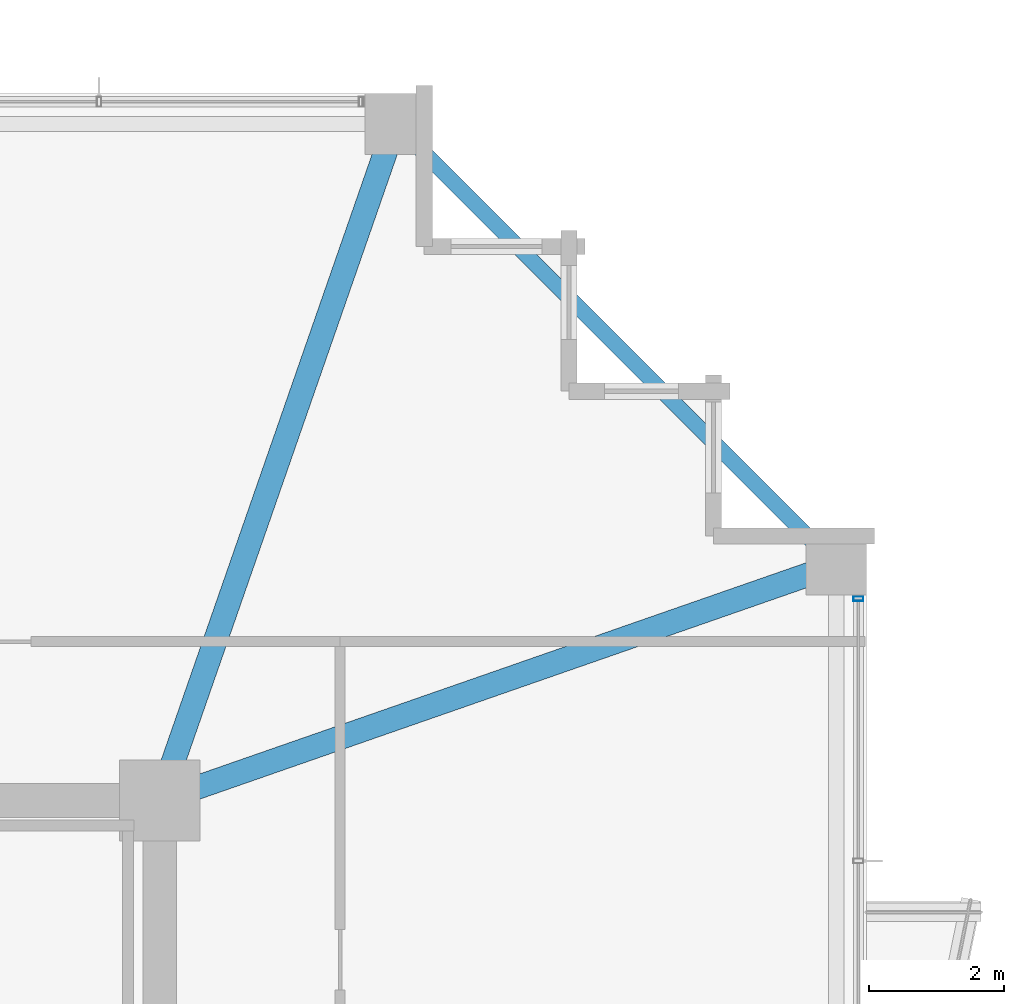
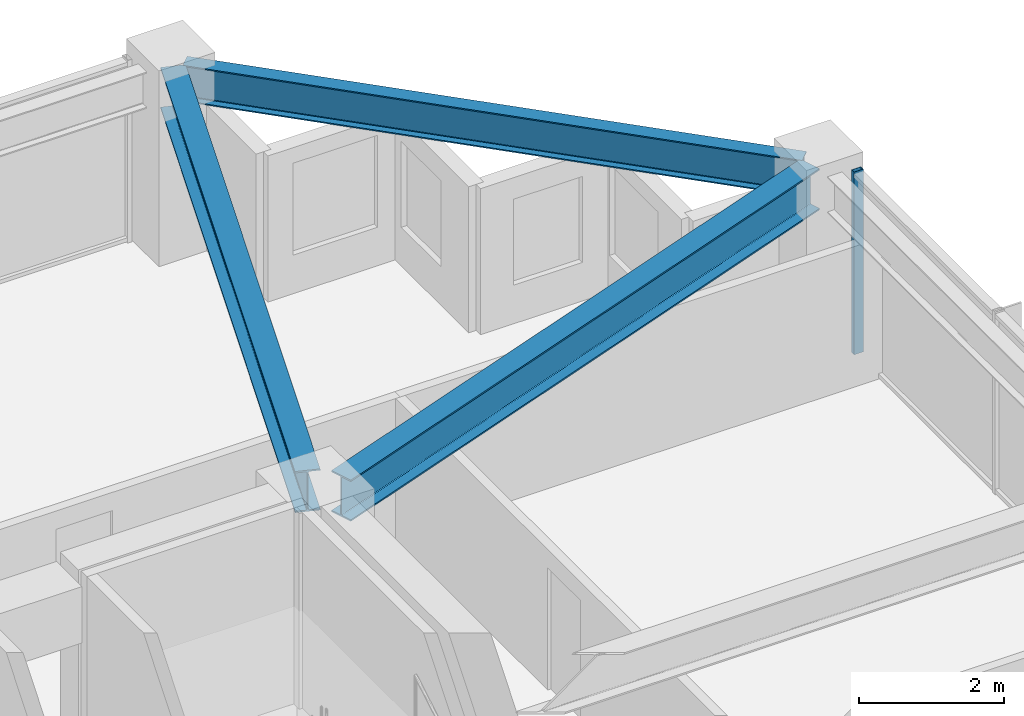
# One storey, part 20 of 35: 3 beams, 1 member, 1 element without a shape of its own.
"""IFC4 building model written with IfcOpenShell, lengths in metres."""

from ifc_helpers import new_model, si_unit, direction, frame, origin, origin_2d, place, context, subcontext, project, spatial, hollow_rectangle, i_section, extrude, material, material_profile, profile_set, type_object, element, aggregate, save


model = new_model("IFC4")

# Units and contexts
model_context = context("Model", 3, precision=1e-05, world=origin(), true_north=direction((0.0, 1.0)))
body_context = subcontext(model_context, "Body", "Model", "MODEL_VIEW")
ifc_project = project(units=[si_unit("LENGTHUNIT", "METRE"), si_unit("AREAUNIT", "SQUARE_METRE"), si_unit("VOLUMEUNIT", "CUBIC_METRE"), si_unit("PLANEANGLEUNIT", "RADIAN"), si_unit("MASSUNIT", "GRAM", prefix="KILO")], contexts=[model_context])

# Site, building, storey
site_placement = place(None, origin())
site = spatial("IfcSite", under=ifc_project, at=site_placement, CompositionType="ELEMENT")
building_placement = place(site_placement, origin())
building = spatial("IfcBuilding", under=site, at=building_placement, Name="Kolvaren Belvedere", CompositionType="ELEMENT")
storey_placement = place(building_placement, frame((0.0, 0.0, 183.300048828125)))
storey = spatial("IfcBuildingStorey", under=building, at=storey_placement, Name="L53", CompositionType="ELEMENT", Elevation=183.300048828125)

# Beams
ifc_material_1 = material(Name="Structural steel ASTM A992 Grade 50", Category="steel")
ifc_material_profile_1 = material_profile(ifc_material_1, i_section(OverallWidth=0.35498046875, OverallDepth=0.696044921875, WebThickness=0.015380859375, FlangeThickness=0.02490234375, FilletRadius=0.02197265625, at=origin_2d()), Name="W27X146")
ifc_profile_set_1 = profile_set([ifc_material_profile_1], Name="Structural steel ASTM A992 Grade 50")
beam_type_1 = type_object("IfcBeamType", Name="BM-GIRD-W27X146", PredefinedType="BEAM", material=ifc_profile_set_1)
for number, where, z_axis, x_axis, name in (
    (1, (10.080810546875, 10.41943359375, 2.73193359375), (0.328894130701, 0.944366798861, 0.0), (-0.944366798861, 0.328894130701, 0.0), "L53 Corner Core-to-Perimeter Girder CC3-N4"),
    (2, (10.41943359375, 10.080810546875, 2.73193359375), (0.944366798861, 0.328894130701, 0.0), (-0.328894130701, 0.944366798861, 0.0), "L53 Corner Core-to-Perimeter Girder CC3-E4"),
):
    element("IfcBeam", number, at=place(storey_placement, frame(where, z_axis=z_axis, x_axis=x_axis)), inside=storey, type_object=beam_type_1, Name=name, PredefinedType="BEAM", context=body_context, shape_type="SweptSolid", body=[
        extrude(i_section(OverallWidth=0.35498046875, OverallDepth=0.696044921875, WebThickness=0.015380859375, FlangeThickness=0.02490234375, FilletRadius=0.02197265625, at=origin_2d()), origin(), (0.0, 0.0, 1.0), 9.912109375),
    ])
ifc_material_2 = material(Name="Structural steel ASTM A992 Grade 50", Category="steel")
ifc_material_profile_2 = material_profile(ifc_material_2, i_section(OverallWidth=0.22900390625, OverallDepth=0.612060546875, WebThickness=0.011962890625, FlangeThickness=0.01953125, FilletRadius=0.01806640625, at=origin_2d()), Name="W24X84")
ifc_profile_set_2 = profile_set([ifc_material_profile_2], Name="Structural steel ASTM A992 Grade 50")
beam_type_2 = type_object("IfcBeamType", Name="BM-SPAN-W24X84", PredefinedType="SPANDREL", material=ifc_profile_set_2)
beam_placement = place(storey_placement, frame((19.806884765625, 13.543212890625, 2.77392578125), z_axis=(-0.707106781187, 0.707106781187, 0.0), x_axis=(-0.707106781187, -0.707106781187, 0.0)))
element("IfcBeam", 3, at=beam_placement, inside=storey, type_object=beam_type_2, Name="L53 Perimeter Spandrel E4-N4", PredefinedType="SPANDREL", context=body_context, shape_type="SweptSolid", body=[
    extrude(i_section(OverallWidth=0.22900390625, OverallDepth=0.612060546875, WebThickness=0.011962890625, FlangeThickness=0.01953125, FilletRadius=0.01806640625, at=origin_2d()), origin(), (0.0, 0.0, 1.0), 8.858154296875),
])

# Curtain wall, member
ifc_material_3 = material(Name="Anodised pale-metal aluminium AA 6063-T6", Category="aluminium")
curtain_wall_type = type_object("IfcCurtainWallType", Name="CW-Z5-HIGH", PredefinedType="NOTDEFINED", material=ifc_material_3)
curtain_wall_placement = place(storey_placement, origin())
curtain_wall = element("IfcCurtainWall", 4, at=curtain_wall_placement, inside=storey, type_object=curtain_wall_type, Name="L53 Unitised Curtain Wall FCW-L53-E1-B1", PredefinedType="NOTDEFINED")
ifc_material_4 = material(Name="Anodised pale-metal aluminium AA 6063-T6", Category="aluminium")
ifc_material_profile_3 = material_profile(ifc_material_4, hollow_rectangle(XDim=0.070068359375, YDim=0.14990234375, WallThickness=0.004150390625, at=origin_2d()), Name="ALU-MUL-150X70")
ifc_profile_set_3 = profile_set([ifc_material_profile_3], Name="Anodised pale-metal aluminium AA 6063-T6")
member_type = type_object("IfcMemberType", Name="CW-MUL-150", PredefinedType="MULLION", material=ifc_profile_set_3)
member_placement = place(storey_placement, frame((20.280029296875, 12.89501953125, 0.0), z_axis=(0.0, 0.0, 1.0), x_axis=(0.0, 1.0, 0.0)))
member = element("IfcMember", 5, at=member_placement, type_object=member_type, Name="FCW-L53-E1-B1 Unitised Mullion 1", PredefinedType="MULLION", context=body_context, shape_type="SweptSolid", body=[
    extrude(hollow_rectangle(XDim=0.070068359375, YDim=0.14990234375, WallThickness=0.004150390625, at=origin_2d()), origin(), (0.0, 0.0, 1.0), 3.079833984375),
])
aggregate(curtain_wall, [member])

save(model, "model.ifc")
